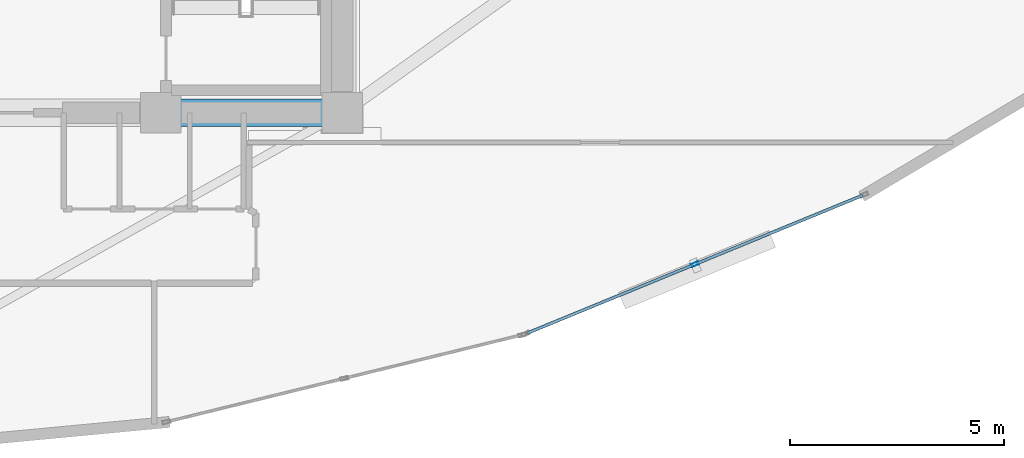
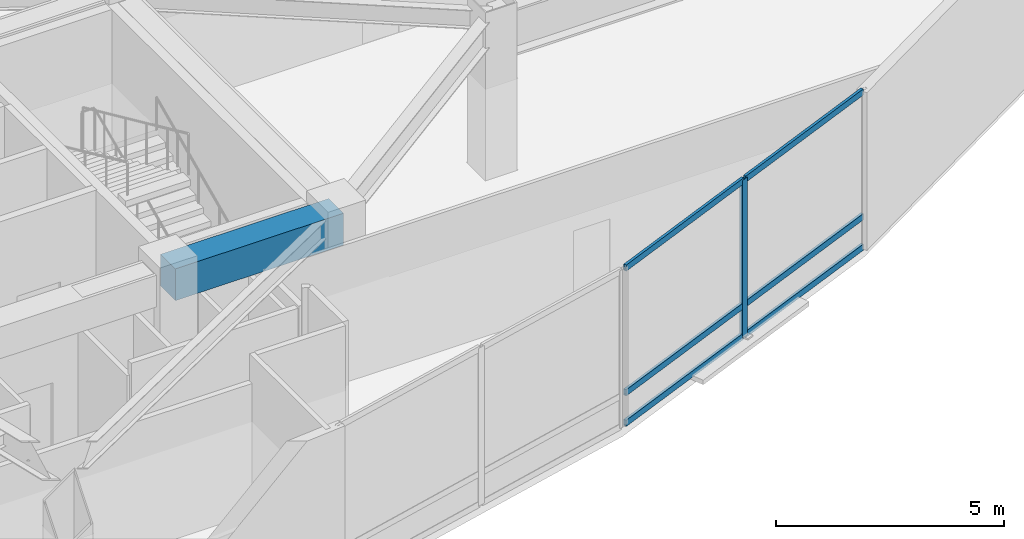
# One storey, part 6 of 17: 7 members, 1 beam, 1 element without a shape of its own.
"""IFC4 building model written with IfcOpenShell, lengths in metres."""

from ifc_helpers import new_model, si_unit, direction, frame, origin, origin_2d, place, context, subcontext, project, spatial, rectangle, hollow_rectangle, extrude, material, layer, layer_set, material_profile, profile_set, type_object, element, aggregate, save


model = new_model("IFC4")

# Units and contexts
model_context = context("Model", 3, precision=1e-05, world=origin(), true_north=direction((0.0, 1.0)))
body_context = subcontext(model_context, "Body", "Model", "MODEL_VIEW")
ifc_project = project(units=[si_unit("LENGTHUNIT", "METRE"), si_unit("AREAUNIT", "SQUARE_METRE"), si_unit("VOLUMEUNIT", "CUBIC_METRE"), si_unit("PLANEANGLEUNIT", "RADIAN"), si_unit("MASSUNIT", "GRAM", prefix="KILO")], contexts=[model_context])

# Site, building, storey
site_placement = place(None, origin())
site = spatial("IfcSite", under=ifc_project, at=site_placement, CompositionType="ELEMENT")
building_placement = place(site_placement, origin())
building = spatial("IfcBuilding", under=site, at=building_placement, Name="Menara Vayukalpa", CompositionType="ELEMENT")
storey_placement = place(building_placement, frame((0.0, 0.0, 238.139892578125)))
storey = spatial("IfcBuildingStorey", under=building, at=storey_placement, Name="L60", CompositionType="ELEMENT", Elevation=238.139892578125)

# Beam
ifc_material_1 = material(Name="Concrete C60/75", Category="concrete")
ifc_material_profile_1 = material_profile(ifc_material_1, rectangle(XDim=0.64990234375, YDim=0.85009765625, at=origin_2d()), Name="RC 650x850")
ifc_profile_set_1 = profile_set([ifc_material_profile_1], Name="Concrete C60/75")
beam_type = type_object("IfcBeamType", Name="BM-CB1", PredefinedType="BEAM", material=ifc_profile_set_1)
beam_placement = place(storey_placement, frame((29.14990234375, 17.199951171875, 3.795166015625), z_axis=(1.0, 0.0, 0.0), x_axis=(0.0, 1.0, 0.0)))
element("IfcBeam", 1, at=beam_placement, inside=storey, type_object=beam_type, Name="L60 Core Tie Beam CBR3", PredefinedType="BEAM", context=body_context, shape_type="SweptSolid", body=[
    extrude(rectangle(XDim=0.64990234375, YDim=0.85009765625, at=origin_2d()), origin(), (0.0, 0.0, 1.0), 4.25),
])

# Curtain wall, members
ifc_material_2 = material(Name="Anodised Terracotta Aluminium Alloy 6063-T6", Category="masonry")
ifc_layer = layer(ifc_material_2, 0.179931640625)
ifc_layer_set = layer_set([ifc_layer], Name="Anodised Terracotta Aluminium Alloy 6063-T6")
curtain_wall_type = type_object("IfcCurtainWallType", Name="CW-CW4", PredefinedType="USERDEFINED", material=ifc_layer_set)
curtain_wall_placement = place(storey_placement, origin())
curtain_wall = element("IfcCurtainWall", 2, at=curtain_wall_placement, inside=storey, type_object=curtain_wall_type, Name="L60 Sky Bar Cantilever Glazed Curtain Wall CW4 17", ObjectType="UNITISED", PredefinedType="USERDEFINED")
ifc_material_3 = material(Name="Anodised Terracotta Aluminium Alloy 6063-T6", Category="masonry")
ifc_material_profile_2 = material_profile(ifc_material_3, hollow_rectangle(XDim=0.074951171875, YDim=0.179931640625, WallThickness=0.00390625, at=origin_2d()), Name="ALU 75x180x4")
ifc_profile_set_2 = profile_set([ifc_material_profile_2], Name="Anodised Terracotta Aluminium Alloy 6063-T6")
member_type_1 = type_object("IfcMemberType", Name="CWM-CW4", PredefinedType="MULLION", material=ifc_profile_set_2)
member_1_placement = place(storey_placement, frame((41.658203125, 13.65234375, 0.0), z_axis=(0.0, 0.0, 1.0), x_axis=(-0.380039448491, 0.924970279301, 0.0)))
member_1 = element("IfcMember", 3, at=member_1_placement, type_object=member_type_1, Name="CW4 mullion 2", PredefinedType="MULLION", context=body_context, shape_type="SweptSolid", body=[
    extrude(hollow_rectangle(XDim=0.074951171875, YDim=0.179931640625, WallThickness=0.00390625, at=origin_2d()), origin(), (0.0, 0.0, 1.0), 4.22021484375),
])
ifc_material_4 = material(Name="Anodised Terracotta Aluminium Alloy 6063-T6", Category="masonry")
ifc_material_profile_3 = material_profile(ifc_material_4, hollow_rectangle(XDim=0.070068359375, YDim=0.1650390625, WallThickness=0.00390625, at=origin_2d()), Name="ALU 70x165x4")
ifc_profile_set_3 = profile_set([ifc_material_profile_3], Name="Anodised Terracotta Aluminium Alloy 6063-T6")
member_type_2 = type_object("IfcMemberType", Name="CWT-CW4", PredefinedType="USERDEFINED", material=ifc_profile_set_3)
member_2_placement = place(storey_placement, frame((37.725341796875, 12.03662109375, 0.03515625), z_axis=(0.924976550219, 0.380024185473, 0.0), x_axis=(-0.380024185473, 0.924976550219, 0.0)))
member_2 = element("IfcMember", 4, at=member_2_placement, type_object=member_type_2, Name="CW4 transom 1.1", ObjectType="TRANSOM", PredefinedType="USERDEFINED", context=body_context, shape_type="SweptSolid", body=[
    extrude(hollow_rectangle(XDim=0.070068359375, YDim=0.1650390625, WallThickness=0.00390625, at=origin_2d()), origin(), (0.0, 0.0, 1.0), 4.21435546875),
])
member_3_placement = place(storey_placement, frame((37.725341796875, 12.03662109375, 0.85009765625), z_axis=(0.924976550219, 0.380024185473, 0.0), x_axis=(-0.380024185473, 0.924976550219, 0.0)))
member_3 = element("IfcMember", 5, at=member_3_placement, type_object=member_type_2, Name="CW4 transom 1.2", ObjectType="TRANSOM", PredefinedType="USERDEFINED", context=body_context, shape_type="SweptSolid", body=[
    extrude(hollow_rectangle(XDim=0.070068359375, YDim=0.1650390625, WallThickness=0.00390625, at=origin_2d()), origin(), (0.0, 0.0, 1.0), 4.21435546875),
])
member_4_placement = place(storey_placement, frame((37.725341796875, 12.03662109375, 4.18505859375), z_axis=(0.924976550219, 0.380024185473, 0.0), x_axis=(-0.380024185473, 0.924976550219, 0.0)))
member_4 = element("IfcMember", 6, at=member_4_placement, type_object=member_type_2, Name="CW4 transom 1.3", ObjectType="TRANSOM", PredefinedType="USERDEFINED", context=body_context, shape_type="SweptSolid", body=[
    extrude(hollow_rectangle(XDim=0.070068359375, YDim=0.1650390625, WallThickness=0.00390625, at=origin_2d()), origin(), (0.0, 0.0, 1.0), 4.21435546875),
])
member_5_placement = place(storey_placement, frame((41.69287109375, 13.66650390625, 0.03515625), z_axis=(0.924947817082, 0.380094114235, 0.0), x_axis=(-0.380094114235, 0.924947817082, 0.0)))
member_5 = element("IfcMember", 7, at=member_5_placement, type_object=member_type_2, Name="CW4 transom 2.1", ObjectType="TRANSOM", PredefinedType="USERDEFINED", context=body_context, shape_type="SweptSolid", body=[
    extrude(hollow_rectangle(XDim=0.070068359375, YDim=0.1650390625, WallThickness=0.00390625, at=origin_2d()), origin(), (0.0, 0.0, 1.0), 4.21435546875),
])
member_6_placement = place(storey_placement, frame((41.69287109375, 13.66650390625, 0.85009765625), z_axis=(0.924947817082, 0.380094114235, 0.0), x_axis=(-0.380094114235, 0.924947817082, 0.0)))
member_6 = element("IfcMember", 8, at=member_6_placement, type_object=member_type_2, Name="CW4 transom 2.2", ObjectType="TRANSOM", PredefinedType="USERDEFINED", context=body_context, shape_type="SweptSolid", body=[
    extrude(hollow_rectangle(XDim=0.070068359375, YDim=0.1650390625, WallThickness=0.00390625, at=origin_2d()), origin(), (0.0, 0.0, 1.0), 4.21435546875),
])
member_7_placement = place(storey_placement, frame((41.69287109375, 13.66650390625, 4.18505859375), z_axis=(0.924947817082, 0.380094114235, 0.0), x_axis=(-0.380094114235, 0.924947817082, 0.0)))
member_7 = element("IfcMember", 9, at=member_7_placement, type_object=member_type_2, Name="CW4 transom 2.3", ObjectType="TRANSOM", PredefinedType="USERDEFINED", context=body_context, shape_type="SweptSolid", body=[
    extrude(hollow_rectangle(XDim=0.070068359375, YDim=0.1650390625, WallThickness=0.00390625, at=origin_2d()), origin(), (0.0, 0.0, 1.0), 4.21435546875),
])
aggregate(curtain_wall, [member_1, member_2, member_3, member_4, member_5, member_6, member_7])

save(model, "model.ifc")
